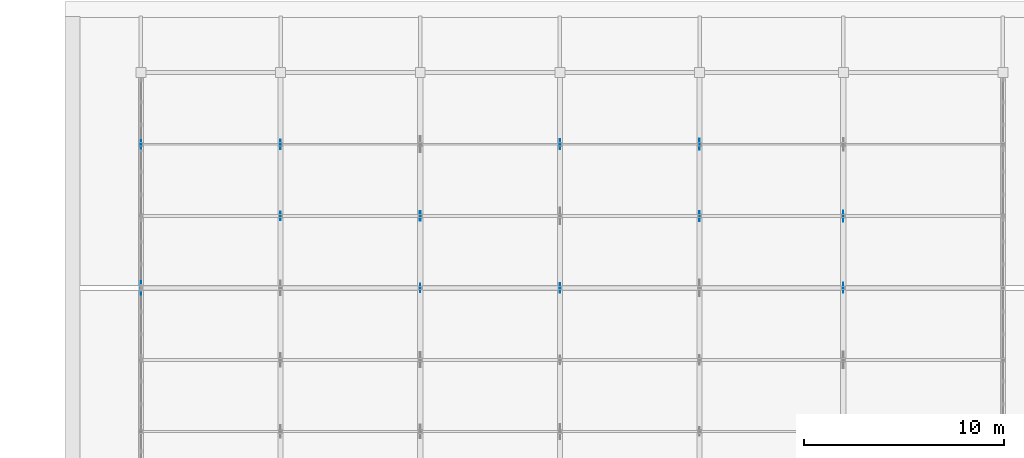
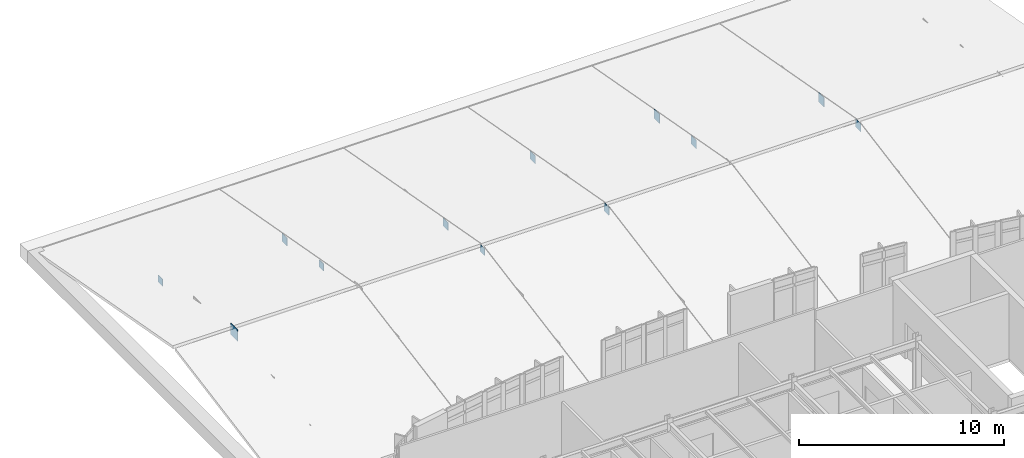
# One storey, part 82 of 105: 12 plates.
"""IFC4 building model written with IfcOpenShell, lengths in metres."""

from ifc_helpers import new_model, si_unit, direction, frame, origin, origin_2d, place, context, subcontext, project, spatial, rectangle, extrude, material, layer, layer_set, type_object, element, save


model = new_model("IFC4")

# Units and contexts
model_context = context("Model", 3, precision=1e-05, world=origin(), true_north=direction((0.0, 1.0)))
body_context = subcontext(model_context, "Body", "Model", "MODEL_VIEW")
ifc_project = project(units=[si_unit("LENGTHUNIT", "METRE"), si_unit("AREAUNIT", "SQUARE_METRE"), si_unit("VOLUMEUNIT", "CUBIC_METRE"), si_unit("PLANEANGLEUNIT", "RADIAN"), si_unit("MASSUNIT", "GRAM", prefix="KILO")], contexts=[model_context])

# Site, building, storey
site_placement = place(None, origin())
site = spatial("IfcSite", under=ifc_project, at=site_placement, CompositionType="ELEMENT")
building_placement = place(site_placement, origin())
building = spatial("IfcBuilding", under=site, at=building_placement, Name="Corveleigh Park Community Centre", CompositionType="ELEMENT")
storey_placement = place(building_placement, frame((0.0, 0.0, 8.699951171875)))
storey = spatial("IfcBuildingStorey", under=building, at=storey_placement, Name="L02", CompositionType="ELEMENT", Elevation=8.699951171875)

# Plates
ifc_material = material(Name="Steel S355", Category="steel")
ifc_layer_1 = layer(ifc_material, 0.02197265625, Name="Steel S355", Category="steel")
ifc_layer_set_1 = layer_set([ifc_layer_1], Name="Steel S355")
plate_type_1 = type_object("IfcPlateType", Name="PLT-CAP-22", PredefinedType="SHEET", material=ifc_layer_set_1)
for number, where, z_axis, x_axis, name in (
    (1, (11.199951171875, 110.800048828125, 1.2900390625), (0.0, 0.0, 1.0), (0.0, 1.0, 0.0), "V2 Truss 1 Gusset"),
    (2, (18.199951171875, 107.199951171875, 1.940185546875), (0.0, 0.0, 1.0), (0.0, 1.0, 0.0), "V2 Truss 2 Gusset"),
    (3, (25.199951171875, 103.60009765625, 2.590087890625), (0.0, 0.0, 1.0), (0.0, 1.0, 0.0), "V2 Truss 3 Gusset"),
):
    element("IfcPlate", number, at=place(storey_placement, frame(where, z_axis=z_axis, x_axis=x_axis)), inside=storey, type_object=plate_type_1, Name=name, PredefinedType="SHEET", context=body_context, shape_type="SweptSolid", body=[
        extrude(rectangle(XDim=0.419921875, YDim=0.02197265625, at=origin_2d()), origin(), (0.0, 0.0, 1.0), 0.419921875),
    ])
ifc_layer_2 = layer(ifc_material, 0.028076171875, Name="Steel S355", Category="steel")
ifc_layer_set_2 = layer_set([ifc_layer_2], Name="Steel S355")
plate_type_2 = type_object("IfcPlateType", Name="PLT-CAP-28", PredefinedType="SHEET", material=ifc_layer_set_2)
for number, where, z_axis, x_axis, name in (
    (4, (18.199951171875, 110.800048828125, 1.260009765625), (0.0, 0.0, 1.0), (0.0, 1.0, 0.0), "V2 Truss 2 Gusset"),
    (5, (25.199951171875, 107.199951171875, 1.91015625), (0.0, 0.0, 1.0), (0.0, 1.0, 0.0), "V2 Truss 3 Gusset"),
    (6, (32.199951171875, 103.60009765625, 2.56005859375), (0.0, 0.0, 1.0), (0.0, 1.0, 0.0), "V2 Truss 4 Gusset"),
):
    element("IfcPlate", number, at=place(storey_placement, frame(where, z_axis=z_axis, x_axis=x_axis)), inside=storey, type_object=plate_type_2, Name=name, PredefinedType="SHEET", context=body_context, shape_type="SweptSolid", body=[
        extrude(rectangle(XDim=0.47998046875, YDim=0.028076171875, at=origin_2d()), origin(), (0.0, 0.0, 1.0), 0.47998046875),
    ])
ifc_layer_3 = layer(ifc_material, 0.01806640625, Name="Steel S355", Category="steel")
ifc_layer_set_3 = layer_set([ifc_layer_3], Name="Steel S355")
plate_type_3 = type_object("IfcPlateType", Name="PLT-GUS-18", PredefinedType="SHEET", material=ifc_layer_set_3)
for number, where, z_axis, x_axis, name in (
    (7, (32.199951171875, 110.800048828125, 1.25), (0.0, 0.0, 1.0), (0.0, 1.0, 0.0), "V2 Truss 4 Gusset"),
    (8, (39.199951171875, 107.199951171875, 1.900146484375), (0.0, 0.0, 1.0), (0.0, 1.0, 0.0), "V2 Truss 5 Gusset"),
    (9, (46.39990234375, 103.60009765625, 2.550048828125), (0.0, 0.0, 1.0), (0.0, 1.0, 0.0), "V2 Truss 6 Gusset"),
):
    element("IfcPlate", number, at=place(storey_placement, frame(where, z_axis=z_axis, x_axis=x_axis)), inside=storey, type_object=plate_type_3, Name=name, PredefinedType="SHEET", context=body_context, shape_type="SweptSolid", body=[
        extrude(rectangle(XDim=0.5, YDim=0.01806640625, at=origin_2d()), origin(), (0.0, 0.0, 1.0), 0.5),
    ])
ifc_layer_4 = layer(ifc_material, 0.02001953125, Name="Steel S355", Category="steel")
ifc_layer_set_4 = layer_set([ifc_layer_4], Name="Steel S355")
plate_type_4 = type_object("IfcPlateType", Name="PLT-GUS-20", PredefinedType="SHEET", material=ifc_layer_set_4)
for number, where, z_axis, x_axis, name in (
    (10, (39.199951171875, 110.800048828125, 1.22509765625), (0.0, 0.0, 1.0), (0.0, 1.0, 0.0), "V2 Truss 5 Gusset"),
    (11, (46.39990234375, 107.199951171875, 1.875), (0.0, 0.0, 1.0), (0.0, 1.0, 0.0), "V2 Truss 6 Gusset"),
):
    element("IfcPlate", number, at=place(storey_placement, frame(where, z_axis=z_axis, x_axis=x_axis)), inside=storey, type_object=plate_type_4, Name=name, PredefinedType="SHEET", context=body_context, shape_type="SweptSolid", body=[
        extrude(rectangle(XDim=0.550048828125, YDim=0.02001953125, at=origin_2d()), origin(), (0.0, 0.0, 1.0), 0.550048828125),
    ])
ifc_layer_5 = layer(ifc_material, 0.02587890625, Name="Steel S355", Category="steel")
ifc_layer_set_5 = layer_set([ifc_layer_5], Name="Steel S355")
plate_type_5 = type_object("IfcPlateType", Name="PLT-GUS-26", PredefinedType="SHEET", material=ifc_layer_set_5)
plate_placement = place(storey_placement, frame((11.199951171875, 103.60009765625, 2.4599609375), z_axis=(0.0, 0.0, 1.0), x_axis=(0.0, 1.0, 0.0)))
element("IfcPlate", 12, at=plate_placement, inside=storey, type_object=plate_type_5, Name="V2 Truss 1 Gusset", PredefinedType="SHEET", context=body_context, shape_type="SweptSolid", body=[
    extrude(rectangle(XDim=0.679931640625, YDim=0.02587890625, at=origin_2d()), origin(), (0.0, 0.0, 1.0), 0.679931640625),
])

save(model, "model.ifc")
